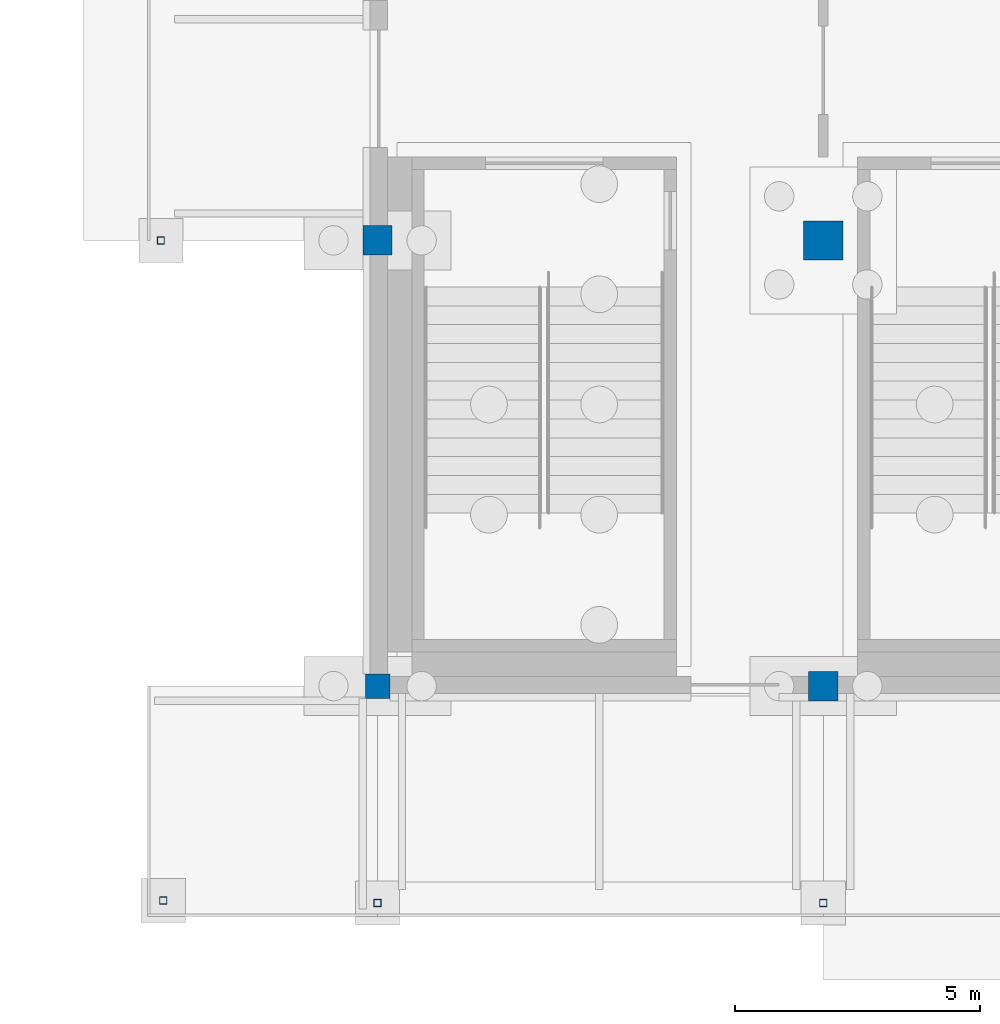
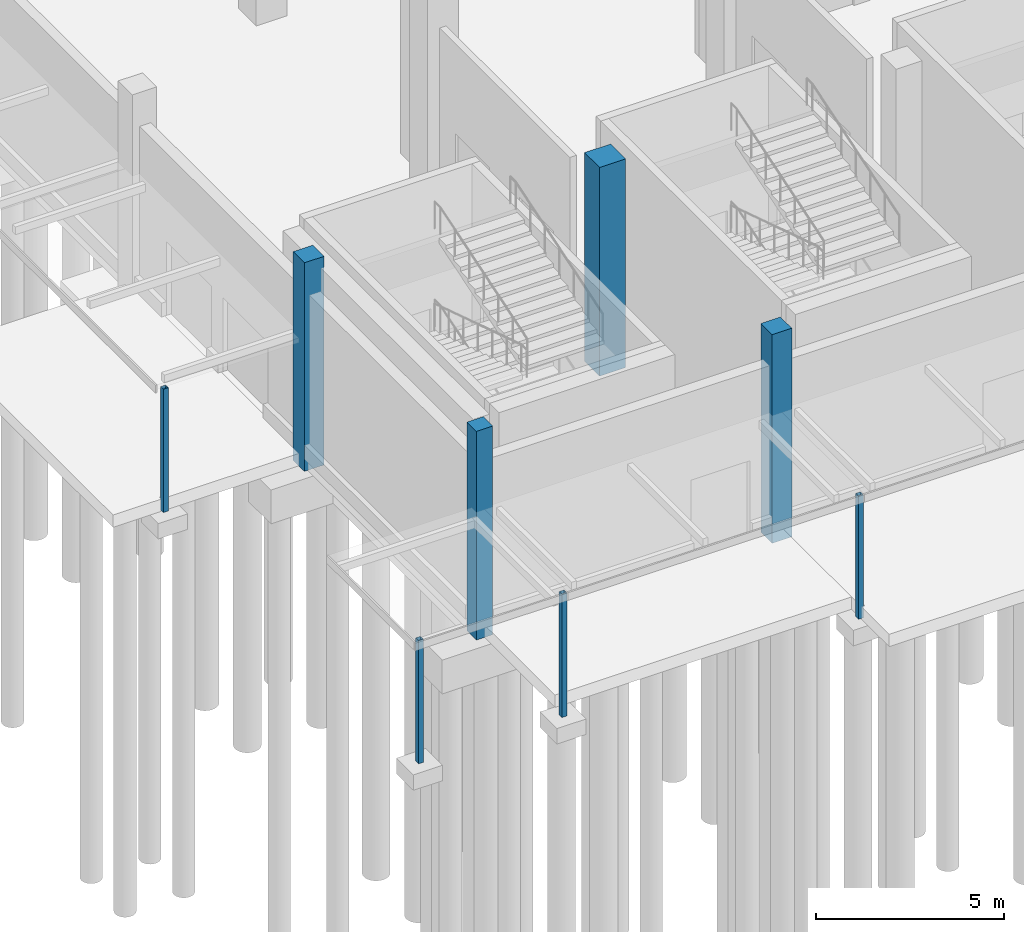
# One storey, part 7 of 129: 8 columns.
"""IFC4 building model written with IfcOpenShell, lengths in metres."""

from ifc_helpers import new_model, si_unit, direction, frame, origin, origin_2d, place, context, subcontext, project, spatial, rectangle, hollow_rectangle, extrude, material, material_profile, profile_set, type_object, element, save


model = new_model("IFC4")

# Units and contexts
model_context = context("Model", 3, precision=1e-05, world=origin(), true_north=direction((0.0, 1.0)))
body_context = subcontext(model_context, "Body", "Model", "MODEL_VIEW")
ifc_project = project(units=[si_unit("LENGTHUNIT", "METRE"), si_unit("AREAUNIT", "SQUARE_METRE"), si_unit("VOLUMEUNIT", "CUBIC_METRE"), si_unit("PLANEANGLEUNIT", "RADIAN"), si_unit("MASSUNIT", "GRAM", prefix="KILO")], contexts=[model_context])

# Site, building, storey
site_placement = place(None, origin())
site = spatial("IfcSite", under=ifc_project, at=site_placement, CompositionType="ELEMENT")
building_placement = place(site_placement, origin())
building = spatial("IfcBuilding", under=site, at=building_placement, Name="Shirokan Park Arena", CompositionType="ELEMENT")
storey_placement = place(building_placement, origin())
storey = spatial("IfcBuildingStorey", under=building, at=storey_placement, Name="L00", CompositionType="ELEMENT", Elevation=0.0)

# Columns
ifc_material_1 = material(Name="Concrete C35", Category="concrete")
ifc_material_profile_1 = material_profile(ifc_material_1, rectangle(XDim=0.5, YDim=0.5, at=origin_2d()), Name="500x500")
ifc_profile_set_1 = profile_set([ifc_material_profile_1], Name="Concrete C35")
column_type_1 = type_object("IfcColumnType", Name="RC column 500x500", PredefinedType="COLUMN", material=ifc_profile_set_1)
column_1_placement = place(storey_placement, frame((0.0, 0.0, -0.39990234375), z_axis=(0.0, 0.0, 1.0), x_axis=(1.0, 0.0, 0.0)))
element("IfcColumn", 1, at=column_1_placement, inside=storey, type_object=column_type_1, Name="Column 1A L00", PredefinedType="COLUMN", context=body_context, shape_type="SweptSolid", body=[
    extrude(rectangle(XDim=0.5, YDim=0.5, at=origin_2d()), origin(), (0.0, 0.0, 1.0), 6.77001953125),
])
ifc_material_profile_2 = material_profile(ifc_material_1, rectangle(XDim=0.60009765625, YDim=0.60009765625, at=origin_2d()), Name="600x600")
ifc_profile_set_2 = profile_set([ifc_material_profile_2], Name="Concrete C35")
column_type_2 = type_object("IfcColumnType", Name="RC column 600x600", PredefinedType="COLUMN", material=ifc_profile_set_2)
for number, where, z_axis, x_axis, name in (
    (2, (0.0, 9.10009765625, -0.39990234375), (0.0, 0.0, 1.0), (1.0, 0.0, 0.0), "Column 1B L00"),
    (3, (9.10009765625, 0.0, -0.39990234375), (0.0, 0.0, 1.0), (1.0, 0.0, 0.0), "Column 2A L00"),
):
    element("IfcColumn", number, at=place(storey_placement, frame(where, z_axis=z_axis, x_axis=x_axis)), inside=storey, type_object=column_type_2, Name=name, PredefinedType="COLUMN", context=body_context, shape_type="SweptSolid", body=[
        extrude(rectangle(XDim=0.60009765625, YDim=0.60009765625, at=origin_2d()), origin(), (0.0, 0.0, 1.0), 6.77001953125),
    ])
ifc_material_profile_3 = material_profile(ifc_material_1, rectangle(XDim=0.800048828125, YDim=0.800048828125, at=origin_2d()), Name="800x800")
ifc_profile_set_3 = profile_set([ifc_material_profile_3], Name="Concrete C35")
column_type_3 = type_object("IfcColumnType", Name="RC column 800x800", PredefinedType="COLUMN", material=ifc_profile_set_3)
column_2_placement = place(storey_placement, frame((9.10009765625, 9.10009765625, -0.39990234375), z_axis=(0.0, 0.0, 1.0), x_axis=(1.0, 0.0, 0.0)))
element("IfcColumn", 4, at=column_2_placement, inside=storey, type_object=column_type_3, Name="Column 2B L00", PredefinedType="COLUMN", context=body_context, shape_type="SweptSolid", body=[
    extrude(rectangle(XDim=0.800048828125, YDim=0.800048828125, at=origin_2d()), origin(), (0.0, 0.0, 1.0), 6.77001953125),
])
ifc_material_2 = material(Name="Steel S355", Category="steel")
ifc_material_profile_4 = material_profile(ifc_material_2, hollow_rectangle(XDim=0.14990234375, YDim=0.14990234375, WallThickness=0.008056640625, at=origin_2d()), Name="RHS 150x150x8")
ifc_profile_set_4 = profile_set([ifc_material_profile_4], Name="Steel S355")
column_type_4 = type_object("IfcColumnType", Name="Steel post RHS 150x150x8", PredefinedType="COLUMN", material=ifc_profile_set_4)
for number, where, z_axis, x_axis, name in (
    (5, (0.0, -4.425048828125, -0.39990234375), (0.0, 0.0, 1.0), (1.0, 0.0, 0.0), "Canopy post south grid 1"),
    (6, (9.10009765625, -4.425048828125, -0.39990234375), (0.0, 0.0, 1.0), (1.0, 0.0, 0.0), "Canopy post south grid 2"),
    (7, (-4.425048828125, 9.10009765625, -0.39990234375), (0.0, 0.0, 1.0), (1.0, 0.0, 0.0), "Canopy post west grid 12"),
    (8, (-4.375, -4.375, -0.39990234375), (0.0, 0.0, 1.0), (1.0, 0.0, 0.0), "Canopy post SW corner"),
):
    element("IfcColumn", number, at=place(storey_placement, frame(where, z_axis=z_axis, x_axis=x_axis)), inside=storey, type_object=column_type_4, Name=name, PredefinedType="COLUMN", context=body_context, shape_type="SweptSolid", body=[
        extrude(hollow_rectangle(XDim=0.14990234375, YDim=0.14990234375, WallThickness=0.008056640625, at=origin_2d()), origin(), (0.0, 0.0, 1.0), 4.0),
    ])

save(model, "model.ifc")
